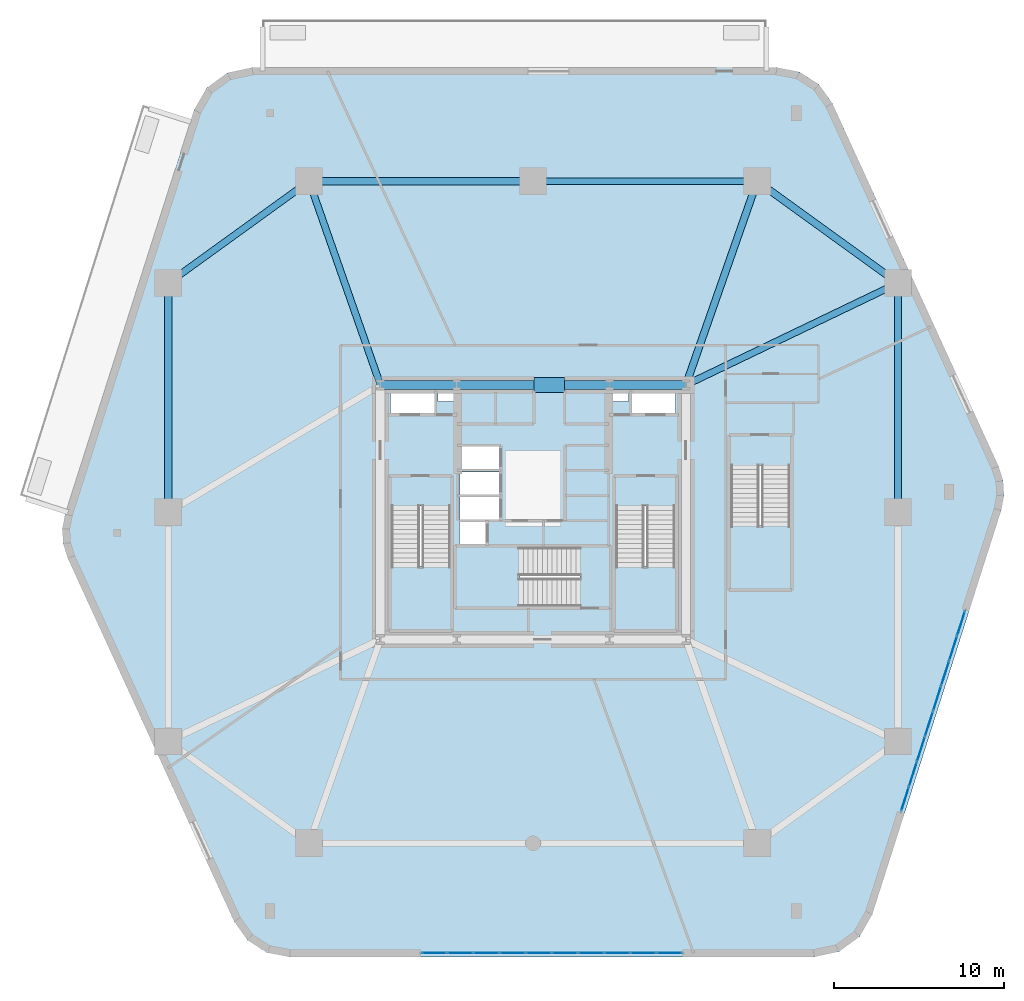
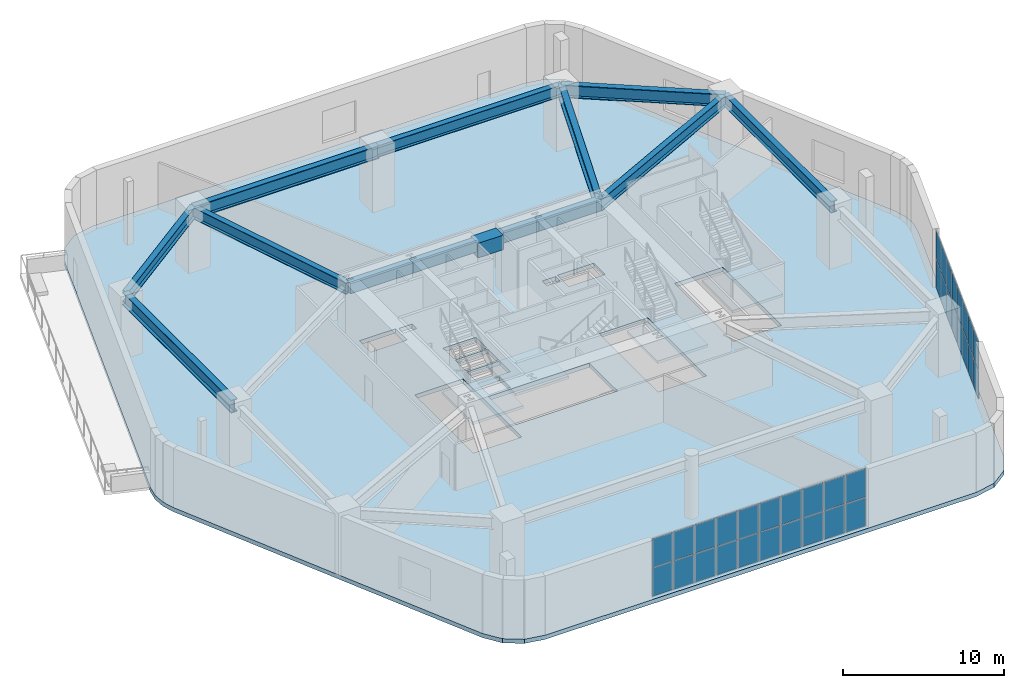
# One storey, part 10 of 15: 36 plates, 13 beams, 5 slabs, 6 elements without a shape of their own.
"""IFC4 building model written with IfcOpenShell, lengths in metres."""

from ifc_helpers import new_model, si_unit, direction, frame, origin, origin_2d, place, context, subcontext, project, spatial, polyline, rectangle, i_section, outline, extrude, material, layer, layer_set, material_profile, profile_set, type_object, element, aggregate, save


model = new_model("IFC4")

# Units and contexts
model_context = context("Model", 3, precision=1e-05, world=origin(), true_north=direction((0.0, 1.0)))
body_context = subcontext(model_context, "Body", "Model", "MODEL_VIEW")
ifc_project = project(units=[si_unit("LENGTHUNIT", "METRE"), si_unit("AREAUNIT", "SQUARE_METRE"), si_unit("VOLUMEUNIT", "CUBIC_METRE"), si_unit("PLANEANGLEUNIT", "RADIAN"), si_unit("MASSUNIT", "GRAM", prefix="KILO")], contexts=[model_context])

# Site, building, storey
site_placement = place(None, origin())
site = spatial("IfcSite", under=ifc_project, at=site_placement, CompositionType="ELEMENT")
building_placement = place(site_placement, origin())
building = spatial("IfcBuilding", under=site, at=building_placement, Name="Kilnhurst Terrace Hotel", CompositionType="ELEMENT")
storey_placement = place(building_placement, frame((0.0, 0.0, 23.39990234375)))
storey = spatial("IfcBuildingStorey", under=building, at=storey_placement, Name="L04", CompositionType="ELEMENT", Elevation=23.39990234375)

# Beams
ifc_material_1 = material(Name="Concrete C50/60", Category="concrete")
ifc_material_profile_1 = material_profile(ifc_material_1, rectangle(XDim=0.550048828125, YDim=0.75, at=origin_2d()), Name="RC550X750")
ifc_profile_set_1 = profile_set([ifc_material_profile_1], Name="Concrete C50/60")
beam_type_1 = type_object("IfcBeamType", Name="BM-SPN-550X750", PredefinedType="SPANDREL", material=ifc_profile_set_1)
beam_1_placement = place(storey_placement, frame((-9.0, 7.5, 4.10498046875), z_axis=(1.0, 0.0, 0.0), x_axis=(0.0, 1.0, 0.0)))
element("IfcBeam", 1, at=beam_1_placement, inside=storey, type_object=beam_type_1, Name="L04 Core Tie Beam CC-NW to CC-NC1", PredefinedType="SPANDREL", context=body_context, shape_type="SweptSolid", body=[
    extrude(rectangle(XDim=0.550048828125, YDim=0.75, at=origin_2d()), origin(), (0.0, 0.0, 1.0), 4.5),
])
beam_2_placement = place(storey_placement, frame((-4.5, 7.5, 4.10498046875), z_axis=(1.0, 0.0, 0.0), x_axis=(0.0, 1.0, 0.0)))
element("IfcBeam", 2, at=beam_2_placement, inside=storey, type_object=beam_type_1, Name="L04 Core Tie Beam CC-NC1 to CC-NC2", PredefinedType="SPANDREL", context=body_context, shape_type="SweptSolid", body=[
    extrude(rectangle(XDim=0.550048828125, YDim=0.75, at=origin_2d()), origin(), (0.0, 0.0, 1.0), 9.0),
])
beam_3_placement = place(storey_placement, frame((4.5, 7.5, 4.10498046875), z_axis=(1.0, 0.0, 0.0), x_axis=(0.0, 1.0, 0.0)))
element("IfcBeam", 3, at=beam_3_placement, inside=storey, type_object=beam_type_1, Name="L04 Core Tie Beam CC-NC2 to CC-NE", PredefinedType="SPANDREL", context=body_context, shape_type="SweptSolid", body=[
    extrude(rectangle(XDim=0.550048828125, YDim=0.75, at=origin_2d()), origin(), (0.0, 0.0, 1.0), 4.5),
])
ifc_material_2 = material(Name="Steel ASTM A992 Grade 50", Category="steel")
ifc_material_profile_2 = material_profile(ifc_material_2, i_section(OverallWidth=0.39990234375, OverallDepth=0.85546875, WebThickness=0.018310546875, FlangeThickness=0.029296875, at=origin_2d()), Name="W33X201")
ifc_profile_set_2 = profile_set([ifc_material_profile_2], Name="Steel ASTM A992 Grade 50")
beam_type_2 = type_object("IfcBeamType", Name="BM-STL-W33X201", PredefinedType="BEAM", material=ifc_profile_set_2)
beam_4_placement = place(storey_placement, frame((-21.5, 13.5, 4.052001953125), z_axis=(0.810423314702, 0.585844732833, 0.0), x_axis=(-0.585844732833, 0.810423314702, 0.0)))
element("IfcBeam", 4, at=beam_4_placement, inside=storey, type_object=beam_type_2, Name="L04 Podium Frame Beam 3", PredefinedType="BEAM", context=body_context, shape_type="SweptSolid", body=[
    extrude(i_section(OverallWidth=0.39990234375, OverallDepth=0.85546875, WebThickness=0.018310546875, FlangeThickness=0.029296875, at=origin_2d()), origin(), (0.0, 0.0, 1.0), 10.24169921875),
])
beam_5_placement = place(storey_placement, frame((0.0, 19.5, 4.052001953125), z_axis=(1.0, 0.0, 0.0), x_axis=(0.0, 1.0, 0.0)))
element("IfcBeam", 5, at=beam_5_placement, inside=storey, type_object=beam_type_2, Name="L04 Podium Frame Beam 5", PredefinedType="BEAM", context=body_context, shape_type="SweptSolid", body=[
    extrude(i_section(OverallWidth=0.39990234375, OverallDepth=0.85546875, WebThickness=0.018310546875, FlangeThickness=0.029296875, at=origin_2d()), origin(), (0.0, 0.0, 1.0), 13.199951171875),
])
beam_6_placement = place(storey_placement, frame((21.5, 13.5, 4.052001953125), z_axis=(0.0, -1.0, 0.0), x_axis=(1.0, 0.0, 0.0)))
element("IfcBeam", 6, at=beam_6_placement, inside=storey, type_object=beam_type_2, Name="L04 Podium Frame Beam 7", PredefinedType="BEAM", context=body_context, shape_type="SweptSolid", body=[
    extrude(i_section(OverallWidth=0.39990234375, OverallDepth=0.85546875, WebThickness=0.018310546875, FlangeThickness=0.029296875, at=origin_2d()), origin(), (0.0, 0.0, 1.0), 13.5),
])
beam_7_placement = place(storey_placement, frame((21.5, 13.5, 4.052001953125), z_axis=(-0.901523057468, -0.432731067585, 0.0), x_axis=(0.432731067585, -0.901523057468, 0.0)))
element("IfcBeam", 7, at=beam_7_placement, inside=storey, type_object=beam_type_2, Name="L04 Podium Frame Beam 11", PredefinedType="BEAM", context=body_context, shape_type="SweptSolid", body=[
    extrude(i_section(OverallWidth=0.39990234375, OverallDepth=0.85546875, WebThickness=0.018310546875, FlangeThickness=0.029296875, at=origin_2d()), origin(), (0.0, 0.0, 1.0), 13.865478515625),
])
beam_8_placement = place(storey_placement, frame((-13.199951171875, 19.5, 4.052001953125), z_axis=(0.330347003279, -0.943859553866, 0.0), x_axis=(0.943859553866, 0.330347003279, 0.0)))
element("IfcBeam", 8, at=beam_8_placement, inside=storey, type_object=beam_type_2, Name="L04 Podium Frame Beam 13", PredefinedType="BEAM", context=body_context, shape_type="SweptSolid", body=[
    extrude(i_section(OverallWidth=0.39990234375, OverallDepth=0.85546875, WebThickness=0.018310546875, FlangeThickness=0.029296875, at=origin_2d()), origin(), (0.0, 0.0, 1.0), 12.7138671875),
])
ifc_material_profile_3 = material_profile(ifc_material_2, i_section(OverallWidth=0.423095703125, OverallDepth=0.9482421875, WebThickness=0.02392578125, FlangeThickness=0.042724609375, at=origin_2d()), Name="W36X302")
ifc_profile_set_3 = profile_set([ifc_material_profile_3], Name="Steel ASTM A992 Grade 50")
beam_type_3 = type_object("IfcBeamType", Name="BM-STL-W36X302", PredefinedType="BEAM", material=ifc_profile_set_3)
beam_9_placement = place(storey_placement, frame((-21.5, 0.0, 4.006103515625), z_axis=(0.0, 1.0, 0.0), x_axis=(-1.0, 0.0, 0.0)))
element("IfcBeam", 9, at=beam_9_placement, inside=storey, type_object=beam_type_3, Name="L04 Podium Frame Beam 2", PredefinedType="BEAM", context=body_context, shape_type="SweptSolid", body=[
    extrude(i_section(OverallWidth=0.423095703125, OverallDepth=0.9482421875, WebThickness=0.02392578125, FlangeThickness=0.042724609375, at=origin_2d()), origin(), (0.0, 0.0, 1.0), 13.5),
])
beam_10_placement = place(storey_placement, frame((-13.199951171875, 19.5, 4.006103515625), z_axis=(1.0, 0.0, 0.0), x_axis=(0.0, 1.0, 0.0)))
element("IfcBeam", 10, at=beam_10_placement, inside=storey, type_object=beam_type_3, Name="L04 Podium Frame Beam 4", PredefinedType="BEAM", context=body_context, shape_type="SweptSolid", body=[
    extrude(i_section(OverallWidth=0.423095703125, OverallDepth=0.9482421875, WebThickness=0.02392578125, FlangeThickness=0.042724609375, at=origin_2d()), origin(), (0.0, 0.0, 1.0), 13.199951171875),
])
beam_11_placement = place(storey_placement, frame((13.199951171875, 19.5, 4.006103515625), z_axis=(0.810423314702, -0.585844732833, 0.0), x_axis=(0.585844732833, 0.810423314702, 0.0)))
element("IfcBeam", 11, at=beam_11_placement, inside=storey, type_object=beam_type_3, Name="L04 Podium Frame Beam 6", PredefinedType="BEAM", context=body_context, shape_type="SweptSolid", body=[
    extrude(i_section(OverallWidth=0.423095703125, OverallDepth=0.9482421875, WebThickness=0.02392578125, FlangeThickness=0.042724609375, at=origin_2d()), origin(), (0.0, 0.0, 1.0), 10.24169921875),
])
beam_12_placement = place(storey_placement, frame((13.199951171875, 19.5, 4.006103515625), z_axis=(-0.330347003279, -0.943859553866, 0.0), x_axis=(0.943859553866, -0.330347003279, 0.0)))
element("IfcBeam", 12, at=beam_12_placement, inside=storey, type_object=beam_type_3, Name="L04 Podium Frame Beam 14", PredefinedType="BEAM", context=body_context, shape_type="SweptSolid", body=[
    extrude(i_section(OverallWidth=0.423095703125, OverallDepth=0.9482421875, WebThickness=0.02392578125, FlangeThickness=0.042724609375, at=origin_2d()), origin(), (0.0, 0.0, 1.0), 12.7138671875),
])
ifc_material_3 = material(Name="Concrete C80/95", Category="concrete")
ifc_material_profile_4 = material_profile(ifc_material_3, rectangle(XDim=0.89990234375, YDim=1.10009765625, at=origin_2d()), Name="RC900X1100")
ifc_profile_set_4 = profile_set([ifc_material_profile_4], Name="Concrete C80/95")
beam_type_4 = type_object("IfcBeamType", Name="LNT-CB-900X1100", PredefinedType="LINTEL", material=ifc_profile_set_4)
beam_13_placement = place(storey_placement, frame((0.050048828125, 7.5, 3.93017578125), z_axis=(1.0, 0.0, 0.0), x_axis=(0.0, 1.0, 0.0)))
element("IfcBeam", 13, at=beam_13_placement, inside=storey, type_object=beam_type_4, Name="L04 North Core Coupling Link Beam", PredefinedType="LINTEL", context=body_context, shape_type="SweptSolid", body=[
    extrude(rectangle(XDim=0.89990234375, YDim=1.10009765625, at=origin_2d()), origin(), (0.0, 0.0, 1.0), 1.800048828125),
])

# Curtain wall, plates
ifc_material_4 = material(Name="Anodized Aluminium Alloy 6063-T6 and Low-E Glass", Category="aluminium")
ifc_layer_1 = layer(ifc_material_4, 0.219970703125, Name="Anodized Aluminium Alloy 6063-T6 and Low-E Glass")
ifc_layer_set_1 = layer_set([ifc_layer_1], Name="Anodized Aluminium Alloy 6063-T6 and Low-E Glass")
curtain_wall_type = type_object("IfcCurtainWallType", Name="CW-POD-TERR", PredefinedType="NOTDEFINED", material=ifc_layer_set_1)
curtain_wall_1_placement = place(storey_placement, origin())
curtain_wall_1 = element("IfcCurtainWall", 14, at=curtain_wall_1_placement, inside=storey, type_object=curtain_wall_type, Name="L04 Curtain Wall CW-L04-F1-1", PredefinedType="NOTDEFINED")
ifc_material_5 = material(Name="Triple Laminated Low-E Hurricane Insulated Glass", Category="glass")
ifc_layer_2 = layer(ifc_material_5, 0.031982421875, Name="Triple Laminated Low-E Hurricane Insulated Glass")
ifc_layer_set_2 = layer_set([ifc_layer_2], Name="Triple Laminated Low-E Hurricane Insulated Glass")
plate_type = type_object("IfcPlateType", Name="PNL-GLZ-32", PredefinedType="CURTAIN_PANEL", material=ifc_layer_set_2)
plate_1_placement = place(storey_placement, frame((-5.825927734375, -25.97509765625, 0.0703125), z_axis=(0.0, 0.0, 1.0), x_axis=(1.0, 0.0, 0.0)))
plate_1 = element("IfcPlate", 15, at=plate_1_placement, type_object=plate_type, Name="CWT-2 panel 1.1", PredefinedType="CURTAIN_PANEL", context=body_context, shape_type="SweptSolid", body=[
    extrude(rectangle(XDim=1.437744140625, YDim=0.031982421875, at=origin_2d()), origin(), (0.0, 0.0, 1.0), 2.135009765625),
])
plate_2_placement = place(storey_placement, frame((-5.825927734375, -25.97509765625, 2.27490234375), z_axis=(0.0, 0.0, 1.0), x_axis=(1.0, 0.0, 0.0)))
plate_2 = element("IfcPlate", 16, at=plate_2_placement, type_object=plate_type, Name="CWT-2 panel 1.2", PredefinedType="CURTAIN_PANEL", context=body_context, shape_type="SweptSolid", body=[
    extrude(rectangle(XDim=1.437744140625, YDim=0.031982421875, at=origin_2d()), origin(), (0.0, 0.0, 1.0), 2.135009765625),
])
plate_3_placement = place(storey_placement, frame((-4.300537109375, -25.97509765625, 0.0703125), z_axis=(0.0, 0.0, 1.0), x_axis=(1.0, 0.0, 0.0)))
plate_3 = element("IfcPlate", 17, at=plate_3_placement, type_object=plate_type, Name="CWT-2 panel 2.1", PredefinedType="CURTAIN_PANEL", context=body_context, shape_type="SweptSolid", body=[
    extrude(rectangle(XDim=1.47265625, YDim=0.031982421875, at=origin_2d()), origin(), (0.0, 0.0, 1.0), 2.135009765625),
])
plate_4_placement = place(storey_placement, frame((-4.300537109375, -25.97509765625, 2.27490234375), z_axis=(0.0, 0.0, 1.0), x_axis=(1.0, 0.0, 0.0)))
plate_4 = element("IfcPlate", 18, at=plate_4_placement, type_object=plate_type, Name="CWT-2 panel 2.2", PredefinedType="CURTAIN_PANEL", context=body_context, shape_type="SweptSolid", body=[
    extrude(rectangle(XDim=1.47265625, YDim=0.031982421875, at=origin_2d()), origin(), (0.0, 0.0, 1.0), 2.135009765625),
])
plate_5_placement = place(storey_placement, frame((-2.758056640625, -25.97509765625, 0.0703125), z_axis=(0.0, 0.0, 1.0), x_axis=(1.0, 0.0, 0.0)))
plate_5 = element("IfcPlate", 19, at=plate_5_placement, type_object=plate_type, Name="CWT-2 panel 3.1", PredefinedType="CURTAIN_PANEL", context=body_context, shape_type="SweptSolid", body=[
    extrude(rectangle(XDim=1.47265625, YDim=0.031982421875, at=origin_2d()), origin(), (0.0, 0.0, 1.0), 2.135009765625),
])
plate_6_placement = place(storey_placement, frame((-2.758056640625, -25.97509765625, 2.27490234375), z_axis=(0.0, 0.0, 1.0), x_axis=(1.0, 0.0, 0.0)))
plate_6 = element("IfcPlate", 20, at=plate_6_placement, type_object=plate_type, Name="CWT-2 panel 3.2", PredefinedType="CURTAIN_PANEL", context=body_context, shape_type="SweptSolid", body=[
    extrude(rectangle(XDim=1.47265625, YDim=0.031982421875, at=origin_2d()), origin(), (0.0, 0.0, 1.0), 2.135009765625),
])
plate_7_placement = place(storey_placement, frame((-1.21533203125, -25.97509765625, 0.0703125), z_axis=(0.0, 0.0, 1.0), x_axis=(1.0, 0.0, 0.0)))
plate_7 = element("IfcPlate", 21, at=plate_7_placement, type_object=plate_type, Name="CWT-2 panel 4.1", PredefinedType="CURTAIN_PANEL", context=body_context, shape_type="SweptSolid", body=[
    extrude(rectangle(XDim=1.47265625, YDim=0.031982421875, at=origin_2d()), origin(), (0.0, 0.0, 1.0), 2.135009765625),
])
plate_8_placement = place(storey_placement, frame((-1.21533203125, -25.97509765625, 2.27490234375), z_axis=(0.0, 0.0, 1.0), x_axis=(1.0, 0.0, 0.0)))
plate_8 = element("IfcPlate", 22, at=plate_8_placement, type_object=plate_type, Name="CWT-2 panel 4.2", PredefinedType="CURTAIN_PANEL", context=body_context, shape_type="SweptSolid", body=[
    extrude(rectangle(XDim=1.47265625, YDim=0.031982421875, at=origin_2d()), origin(), (0.0, 0.0, 1.0), 2.135009765625),
])
plate_9_placement = place(storey_placement, frame((0.327392578125, -25.97509765625, 0.0703125), z_axis=(0.0, 0.0, 1.0), x_axis=(1.0, 0.0, 0.0)))
plate_9 = element("IfcPlate", 23, at=plate_9_placement, type_object=plate_type, Name="CWT-2 panel 5.1", PredefinedType="CURTAIN_PANEL", context=body_context, shape_type="SweptSolid", body=[
    extrude(rectangle(XDim=1.47265625, YDim=0.031982421875, at=origin_2d()), origin(), (0.0, 0.0, 1.0), 2.135009765625),
])
plate_10_placement = place(storey_placement, frame((0.327392578125, -25.97509765625, 2.27490234375), z_axis=(0.0, 0.0, 1.0), x_axis=(1.0, 0.0, 0.0)))
plate_10 = element("IfcPlate", 24, at=plate_10_placement, type_object=plate_type, Name="CWT-2 panel 5.2", PredefinedType="CURTAIN_PANEL", context=body_context, shape_type="SweptSolid", body=[
    extrude(rectangle(XDim=1.47265625, YDim=0.031982421875, at=origin_2d()), origin(), (0.0, 0.0, 1.0), 2.135009765625),
])
plate_11_placement = place(storey_placement, frame((1.8701171875, -25.97509765625, 0.0703125), z_axis=(0.0, 0.0, 1.0), x_axis=(1.0, 0.0, 0.0)))
plate_11 = element("IfcPlate", 25, at=plate_11_placement, type_object=plate_type, Name="CWT-2 panel 6.1", PredefinedType="CURTAIN_PANEL", context=body_context, shape_type="SweptSolid", body=[
    extrude(rectangle(XDim=1.47265625, YDim=0.031982421875, at=origin_2d()), origin(), (0.0, 0.0, 1.0), 2.135009765625),
])
plate_12_placement = place(storey_placement, frame((1.8701171875, -25.97509765625, 2.27490234375), z_axis=(0.0, 0.0, 1.0), x_axis=(1.0, 0.0, 0.0)))
plate_12 = element("IfcPlate", 26, at=plate_12_placement, type_object=plate_type, Name="CWT-2 panel 6.2", PredefinedType="CURTAIN_PANEL", context=body_context, shape_type="SweptSolid", body=[
    extrude(rectangle(XDim=1.47265625, YDim=0.031982421875, at=origin_2d()), origin(), (0.0, 0.0, 1.0), 2.135009765625),
])
plate_13_placement = place(storey_placement, frame((3.412841796875, -25.97509765625, 0.0703125), z_axis=(0.0, 0.0, 1.0), x_axis=(1.0, 0.0, 0.0)))
plate_13 = element("IfcPlate", 27, at=plate_13_placement, type_object=plate_type, Name="CWT-2 panel 7.1", PredefinedType="CURTAIN_PANEL", context=body_context, shape_type="SweptSolid", body=[
    extrude(rectangle(XDim=1.47265625, YDim=0.031982421875, at=origin_2d()), origin(), (0.0, 0.0, 1.0), 2.135009765625),
])
plate_14_placement = place(storey_placement, frame((3.412841796875, -25.97509765625, 2.27490234375), z_axis=(0.0, 0.0, 1.0), x_axis=(1.0, 0.0, 0.0)))
plate_14 = element("IfcPlate", 28, at=plate_14_placement, type_object=plate_type, Name="CWT-2 panel 7.2", PredefinedType="CURTAIN_PANEL", context=body_context, shape_type="SweptSolid", body=[
    extrude(rectangle(XDim=1.47265625, YDim=0.031982421875, at=origin_2d()), origin(), (0.0, 0.0, 1.0), 2.135009765625),
])
plate_15_placement = place(storey_placement, frame((4.95556640625, -25.97509765625, 0.0703125), z_axis=(0.0, 0.0, 1.0), x_axis=(1.0, 0.0, 0.0)))
plate_15 = element("IfcPlate", 29, at=plate_15_placement, type_object=plate_type, Name="CWT-2 panel 8.1", PredefinedType="CURTAIN_PANEL", context=body_context, shape_type="SweptSolid", body=[
    extrude(rectangle(XDim=1.47265625, YDim=0.031982421875, at=origin_2d()), origin(), (0.0, 0.0, 1.0), 2.135009765625),
])
plate_16_placement = place(storey_placement, frame((4.95556640625, -25.97509765625, 2.27490234375), z_axis=(0.0, 0.0, 1.0), x_axis=(1.0, 0.0, 0.0)))
plate_16 = element("IfcPlate", 30, at=plate_16_placement, type_object=plate_type, Name="CWT-2 panel 8.2", PredefinedType="CURTAIN_PANEL", context=body_context, shape_type="SweptSolid", body=[
    extrude(rectangle(XDim=1.47265625, YDim=0.031982421875, at=origin_2d()), origin(), (0.0, 0.0, 1.0), 2.135009765625),
])
plate_17_placement = place(storey_placement, frame((6.498291015625, -25.97509765625, 0.0703125), z_axis=(0.0, 0.0, 1.0), x_axis=(1.0, 0.0, 0.0)))
plate_17 = element("IfcPlate", 31, at=plate_17_placement, type_object=plate_type, Name="CWT-2 panel 9.1", PredefinedType="CURTAIN_PANEL", context=body_context, shape_type="SweptSolid", body=[
    extrude(rectangle(XDim=1.47265625, YDim=0.031982421875, at=origin_2d()), origin(), (0.0, 0.0, 1.0), 2.135009765625),
])
plate_18_placement = place(storey_placement, frame((6.498291015625, -25.97509765625, 2.27490234375), z_axis=(0.0, 0.0, 1.0), x_axis=(1.0, 0.0, 0.0)))
plate_18 = element("IfcPlate", 32, at=plate_18_placement, type_object=plate_type, Name="CWT-2 panel 9.2", PredefinedType="CURTAIN_PANEL", context=body_context, shape_type="SweptSolid", body=[
    extrude(rectangle(XDim=1.47265625, YDim=0.031982421875, at=origin_2d()), origin(), (0.0, 0.0, 1.0), 2.135009765625),
])
plate_19_placement = place(storey_placement, frame((8.0234375, -25.97509765625, 0.0703125), z_axis=(0.0, 0.0, 1.0), x_axis=(1.0, 0.0, 0.0)))
plate_19 = element("IfcPlate", 33, at=plate_19_placement, type_object=plate_type, Name="CWT-2 panel 10.1", PredefinedType="CURTAIN_PANEL", context=body_context, shape_type="SweptSolid", body=[
    extrude(rectangle(XDim=1.437744140625, YDim=0.031982421875, at=origin_2d()), origin(), (0.0, 0.0, 1.0), 2.135009765625),
])
plate_20_placement = place(storey_placement, frame((8.0234375, -25.97509765625, 2.27490234375), z_axis=(0.0, 0.0, 1.0), x_axis=(1.0, 0.0, 0.0)))
plate_20 = element("IfcPlate", 34, at=plate_20_placement, type_object=plate_type, Name="CWT-2 panel 10.2", PredefinedType="CURTAIN_PANEL", context=body_context, shape_type="SweptSolid", body=[
    extrude(rectangle(XDim=1.437744140625, YDim=0.031982421875, at=origin_2d()), origin(), (0.0, 0.0, 1.0), 2.135009765625),
])
aggregate(curtain_wall_1, [plate_1, plate_2, plate_3, plate_4, plate_5, plate_6, plate_7, plate_8, plate_9, plate_10, plate_11, plate_12, plate_13, plate_14, plate_15, plate_16, plate_17, plate_18, plate_19, plate_20])

curtain_wall_2_placement = place(storey_placement, origin())
curtain_wall_2 = element("IfcCurtainWall", 35, at=curtain_wall_2_placement, inside=storey, type_object=curtain_wall_type, Name="L04 Curtain Wall CW-L04-F2-1", PredefinedType="NOTDEFINED")
plate_21_placement = place(storey_placement, frame((21.9111328125, -16.901123046875, 0.0703125), z_axis=(0.0, 0.0, 1.0), x_axis=(0.303991887271, 0.952674620463, 0.0)))
plate_21 = element("IfcPlate", 36, at=plate_21_placement, type_object=plate_type, Name="CWT-2 panel 1.1", PredefinedType="CURTAIN_PANEL", context=body_context, shape_type="SweptSolid", body=[
    extrude(rectangle(XDim=1.45458984375, YDim=0.031982421875, at=origin_2d()), origin(), (0.0, 0.0, 1.0), 2.135009765625),
])
plate_22_placement = place(storey_placement, frame((21.9111328125, -16.901123046875, 2.27490234375), z_axis=(0.0, 0.0, 1.0), x_axis=(0.303991887271, 0.952674620463, 0.0)))
plate_22 = element("IfcPlate", 37, at=plate_22_placement, type_object=plate_type, Name="CWT-2 panel 1.2", PredefinedType="CURTAIN_PANEL", context=body_context, shape_type="SweptSolid", body=[
    extrude(rectangle(XDim=1.45458984375, YDim=0.031982421875, at=origin_2d()), origin(), (0.0, 0.0, 1.0), 2.135009765625),
])
plate_23_placement = place(storey_placement, frame((22.3798828125, -15.431884765625, 0.0703125), z_axis=(0.0, 0.0, 1.0), x_axis=(0.303991887271, 0.952674620463, 0.0)))
plate_23 = element("IfcPlate", 38, at=plate_23_placement, type_object=plate_type, Name="CWT-2 panel 2.1", PredefinedType="CURTAIN_PANEL", context=body_context, shape_type="SweptSolid", body=[
    extrude(rectangle(XDim=1.489501953125, YDim=0.031982421875, at=origin_2d()), origin(), (0.0, 0.0, 1.0), 2.135009765625),
])
plate_24_placement = place(storey_placement, frame((22.3798828125, -15.431884765625, 2.27490234375), z_axis=(0.0, 0.0, 1.0), x_axis=(0.303991887271, 0.952674620463, 0.0)))
plate_24 = element("IfcPlate", 39, at=plate_24_placement, type_object=plate_type, Name="CWT-2 panel 2.2", PredefinedType="CURTAIN_PANEL", context=body_context, shape_type="SweptSolid", body=[
    extrude(rectangle(XDim=1.489501953125, YDim=0.031982421875, at=origin_2d()), origin(), (0.0, 0.0, 1.0), 2.135009765625),
])
plate_25_placement = place(storey_placement, frame((22.85400390625, -13.946044921875, 0.0703125), z_axis=(0.0, 0.0, 1.0), x_axis=(0.303991887271, 0.952674620463, 0.0)))
plate_25 = element("IfcPlate", 40, at=plate_25_placement, type_object=plate_type, Name="CWT-2 panel 3.1", PredefinedType="CURTAIN_PANEL", context=body_context, shape_type="SweptSolid", body=[
    extrude(rectangle(XDim=1.489501953125, YDim=0.031982421875, at=origin_2d()), origin(), (0.0, 0.0, 1.0), 2.135009765625),
])
plate_26_placement = place(storey_placement, frame((22.85400390625, -13.946044921875, 2.27490234375), z_axis=(0.0, 0.0, 1.0), x_axis=(0.303991887271, 0.952674620463, 0.0)))
plate_26 = element("IfcPlate", 41, at=plate_26_placement, type_object=plate_type, Name="CWT-2 panel 3.2", PredefinedType="CURTAIN_PANEL", context=body_context, shape_type="SweptSolid", body=[
    extrude(rectangle(XDim=1.489501953125, YDim=0.031982421875, at=origin_2d()), origin(), (0.0, 0.0, 1.0), 2.135009765625),
])
plate_27_placement = place(storey_placement, frame((23.328125, -12.460205078125, 0.0703125), z_axis=(0.0, 0.0, 1.0), x_axis=(0.303991887271, 0.952674620463, 0.0)))
plate_27 = element("IfcPlate", 42, at=plate_27_placement, type_object=plate_type, Name="CWT-2 panel 4.1", PredefinedType="CURTAIN_PANEL", context=body_context, shape_type="SweptSolid", body=[
    extrude(rectangle(XDim=1.489501953125, YDim=0.031982421875, at=origin_2d()), origin(), (0.0, 0.0, 1.0), 2.135009765625),
])
plate_28_placement = place(storey_placement, frame((23.328125, -12.460205078125, 2.27490234375), z_axis=(0.0, 0.0, 1.0), x_axis=(0.303991887271, 0.952674620463, 0.0)))
plate_28 = element("IfcPlate", 43, at=plate_28_placement, type_object=plate_type, Name="CWT-2 panel 4.2", PredefinedType="CURTAIN_PANEL", context=body_context, shape_type="SweptSolid", body=[
    extrude(rectangle(XDim=1.489501953125, YDim=0.031982421875, at=origin_2d()), origin(), (0.0, 0.0, 1.0), 2.135009765625),
])
plate_29_placement = place(storey_placement, frame((23.80224609375, -10.974365234375, 0.0703125), z_axis=(0.0, 0.0, 1.0), x_axis=(0.303991887271, 0.952674620463, 0.0)))
plate_29 = element("IfcPlate", 44, at=plate_29_placement, type_object=plate_type, Name="CWT-2 panel 5.1", PredefinedType="CURTAIN_PANEL", context=body_context, shape_type="SweptSolid", body=[
    extrude(rectangle(XDim=1.489501953125, YDim=0.031982421875, at=origin_2d()), origin(), (0.0, 0.0, 1.0), 2.135009765625),
])
plate_30_placement = place(storey_placement, frame((23.80224609375, -10.974365234375, 2.27490234375), z_axis=(0.0, 0.0, 1.0), x_axis=(0.303991887271, 0.952674620463, 0.0)))
plate_30 = element("IfcPlate", 45, at=plate_30_placement, type_object=plate_type, Name="CWT-2 panel 5.2", PredefinedType="CURTAIN_PANEL", context=body_context, shape_type="SweptSolid", body=[
    extrude(rectangle(XDim=1.489501953125, YDim=0.031982421875, at=origin_2d()), origin(), (0.0, 0.0, 1.0), 2.135009765625),
])
plate_31_placement = place(storey_placement, frame((24.2763671875, -9.488525390625, 0.0703125), z_axis=(0.0, 0.0, 1.0), x_axis=(0.303991887271, 0.952674620463, 0.0)))
plate_31 = element("IfcPlate", 46, at=plate_31_placement, type_object=plate_type, Name="CWT-2 panel 6.1", PredefinedType="CURTAIN_PANEL", context=body_context, shape_type="SweptSolid", body=[
    extrude(rectangle(XDim=1.489501953125, YDim=0.031982421875, at=origin_2d()), origin(), (0.0, 0.0, 1.0), 2.135009765625),
])
plate_32_placement = place(storey_placement, frame((24.2763671875, -9.488525390625, 2.27490234375), z_axis=(0.0, 0.0, 1.0), x_axis=(0.303991887271, 0.952674620463, 0.0)))
plate_32 = element("IfcPlate", 47, at=plate_32_placement, type_object=plate_type, Name="CWT-2 panel 6.2", PredefinedType="CURTAIN_PANEL", context=body_context, shape_type="SweptSolid", body=[
    extrude(rectangle(XDim=1.489501953125, YDim=0.031982421875, at=origin_2d()), origin(), (0.0, 0.0, 1.0), 2.135009765625),
])
plate_33_placement = place(storey_placement, frame((24.75048828125, -8.0029296875, 0.0703125), z_axis=(0.0, 0.0, 1.0), x_axis=(0.303991887271, 0.952674620463, 0.0)))
plate_33 = element("IfcPlate", 48, at=plate_33_placement, type_object=plate_type, Name="CWT-2 panel 7.1", PredefinedType="CURTAIN_PANEL", context=body_context, shape_type="SweptSolid", body=[
    extrude(rectangle(XDim=1.489501953125, YDim=0.031982421875, at=origin_2d()), origin(), (0.0, 0.0, 1.0), 2.135009765625),
])
plate_34_placement = place(storey_placement, frame((24.75048828125, -8.0029296875, 2.27490234375), z_axis=(0.0, 0.0, 1.0), x_axis=(0.303991887271, 0.952674620463, 0.0)))
plate_34 = element("IfcPlate", 49, at=plate_34_placement, type_object=plate_type, Name="CWT-2 panel 7.2", PredefinedType="CURTAIN_PANEL", context=body_context, shape_type="SweptSolid", body=[
    extrude(rectangle(XDim=1.489501953125, YDim=0.031982421875, at=origin_2d()), origin(), (0.0, 0.0, 1.0), 2.135009765625),
])
plate_35_placement = place(storey_placement, frame((25.21923828125, -6.53369140625, 0.0703125), z_axis=(0.0, 0.0, 1.0), x_axis=(0.303991887271, 0.952674620463, 0.0)))
plate_35 = element("IfcPlate", 50, at=plate_35_placement, type_object=plate_type, Name="CWT-2 panel 8.1", PredefinedType="CURTAIN_PANEL", context=body_context, shape_type="SweptSolid", body=[
    extrude(rectangle(XDim=1.45458984375, YDim=0.031982421875, at=origin_2d()), origin(), (0.0, 0.0, 1.0), 2.135009765625),
])
plate_36_placement = place(storey_placement, frame((25.21923828125, -6.53369140625, 2.27490234375), z_axis=(0.0, 0.0, 1.0), x_axis=(0.303991887271, 0.952674620463, 0.0)))
plate_36 = element("IfcPlate", 51, at=plate_36_placement, type_object=plate_type, Name="CWT-2 panel 8.2", PredefinedType="CURTAIN_PANEL", context=body_context, shape_type="SweptSolid", body=[
    extrude(rectangle(XDim=1.45458984375, YDim=0.031982421875, at=origin_2d()), origin(), (0.0, 0.0, 1.0), 2.135009765625),
])
aggregate(curtain_wall_2, [plate_21, plate_22, plate_23, plate_24, plate_25, plate_26, plate_27, plate_28, plate_29, plate_30, plate_31, plate_32, plate_33, plate_34, plate_35, plate_36])

# Slab
ifc_layer_3 = layer(ifc_material_1, 0.320068359375, Name="Concrete C50/60")
ifc_layer_set_3 = layer_set([ifc_layer_3], Name="Concrete C50/60")
slab_type_1 = type_object("IfcSlabType", Name="SLB-FLR-320", PredefinedType="FLOOR", material=ifc_layer_set_3)
slab_1_placement = place(storey_placement, frame((0.0, 0.0, -0.31982421875)))
element("IfcSlab", 52, at=slab_1_placement, inside=storey, type_object=slab_type_1, Name="L04 Structural Floor Slab", PredefinedType="FLOOR", context=body_context, shape_type="SweptSolid", body=[
    extrude(outline(polyline([(-17.622314453125, -24.09912109375), (-16.83154296875, -25.207275390625), (-15.68603515625, -25.942626953125), (-14.34912109375, -26.199951171875), (16.5498046875, -26.199951171875), (18.02001953125, -25.88623046875), (19.233642578125, -24.99951171875), (19.9794921875, -23.6943359375), (27.57666015625, 0.114013671875), (27.73974609375, 0.982666015625), (27.6865234375, 1.86474609375), (27.419921875, 2.70751953125), (17.622314453125, 24.09912109375), (16.83154296875, 25.207275390625), (15.68603515625, 25.942626953125), (14.34912109375, 26.199951171875), (-16.5498046875, 26.199951171875), (-18.02001953125, 25.88623046875), (-19.233642578125, 24.99951171875), (-19.9794921875, 23.6943359375), (-27.57666015625, -0.114013671875), (-27.73974609375, -0.982666015625), (-27.6865234375, -1.86474609375), (-27.419921875, -2.70751953125), (-17.622314453125, -24.09912109375)]), holes=[polyline([(-8.35009765625, 0.35498046875), (-4.8798828125, 0.35498046875), (-4.8798828125, -6.89990234375), (-8.35009765625, -6.89990234375), (-8.35009765625, 0.35498046875)]), polyline([(-4.35009765625, -1.89990234375), (-4.35009765625, -0.550048828125), (-2.800048828125, -0.550048828125), (-2.800048828125, -1.89990234375), (-4.35009765625, -1.89990234375)]), polyline([(-4.300048828125, -0.429931640625), (-4.300048828125, 0.89990234375), (-1.949951171875, 0.89990234375), (-1.949951171875, -0.429931640625), (-4.300048828125, -0.429931640625)]), polyline([(-1.949951171875, 1.050048828125), (-4.300048828125, 1.050048828125), (-4.300048828125, 2.3798828125), (-1.949951171875, 2.3798828125), (-1.949951171875, 1.050048828125)]), polyline([(-8.39990234375, 5.75), (-8.39990234375, 7.14990234375), (-5.800048828125, 7.14990234375), (-5.800048828125, 5.75), (-8.39990234375, 5.75)]), polyline([(-5.6201171875, 6.52001953125), (-5.6201171875, 7.080078125), (-4.659912109375, 7.080078125), (-4.659912109375, 6.52001953125), (-5.6201171875, 6.52001953125)]), polyline([(2.7548828125, -2.080078125), (2.7548828125, -5.550048828125), (-4.5, -5.550048828125), (-4.5, -2.080078125), (2.7548828125, -2.080078125)]), polyline([(8.35009765625, 0.35498046875), (8.35009765625, -6.89990234375), (4.8798828125, -6.89990234375), (4.8798828125, 0.35498046875), (8.35009765625, 0.35498046875)]), polyline([(15.1201171875, 2.7548828125), (15.1201171875, -4.5), (11.64990234375, -4.5), (11.64990234375, 2.7548828125), (15.1201171875, 2.7548828125)]), polyline([(-1.949951171875, 2.530029296875), (-4.300048828125, 2.530029296875), (-4.300048828125, 3.860107421875), (-1.949951171875, 3.860107421875), (-1.949951171875, 2.530029296875)]), polyline([(5.800048828125, 5.75), (5.800048828125, 7.14990234375), (8.39990234375, 7.14990234375), (8.39990234375, 5.75), (5.800048828125, 5.75)]), polyline([(4.659912109375, 6.52001953125), (4.659912109375, 7.080078125), (5.6201171875, 7.080078125), (5.6201171875, 6.52001953125), (4.659912109375, 6.52001953125)])]), origin(), (0.0, 0.0, 1.0), 0.31982421875),
])

# Stair, slab
stair_type_1 = type_object("IfcStairType", Name="STR-CORE-1660", PredefinedType="HALF_TURN_STAIR", material=ifc_material_1)
stair_1_placement = place(storey_placement, origin())
stair_1 = element("IfcStair", 53, at=stair_1_placement, inside=storey, type_object=stair_type_1, Name="L04 ST-1", PredefinedType="HALF_TURN_STAIR")
ifc_layer_4 = layer(ifc_material_1, 0.199951171875, Name="Concrete C50/60")
ifc_layer_set_4 = layer_set([ifc_layer_4], Name="Concrete C50/60")
slab_type_2 = type_object("IfcSlabType", Name="SLB-ST-LND-200", PredefinedType="LANDING", material=ifc_layer_set_4)
slab_2_placement = place(storey_placement, frame((0.0, 0.0, 2.2001953125)))
slab_2 = element("IfcSlab", 54, at=slab_2_placement, type_object=slab_type_2, Name="ST-1 landing 1", PredefinedType="LANDING", context=body_context, shape_type="SweptSolid", body=[
    extrude(outline(polyline([(-8.429931640625, -3.169921875), (-4.800048828125, -3.169921875), (-4.800048828125, -6.97998046875), (-8.429931640625, -6.97998046875), (-8.429931640625, -3.169921875)])), origin(), (0.0, 0.0, 1.0), 0.199951171875),
])
aggregate(stair_1, [slab_2])

stair_2_placement = place(storey_placement, origin())
stair_2 = element("IfcStair", 55, at=stair_2_placement, inside=storey, type_object=stair_type_1, Name="L04 ST-2", PredefinedType="HALF_TURN_STAIR")
slab_3_placement = place(storey_placement, frame((0.0, 0.0, 2.2001953125)))
slab_3 = element("IfcSlab", 56, at=slab_3_placement, type_object=slab_type_2, Name="ST-2 landing 1", PredefinedType="LANDING", context=body_context, shape_type="SweptSolid", body=[
    extrude(outline(polyline([(4.800048828125, -3.169921875), (8.429931640625, -3.169921875), (8.429931640625, -6.97998046875), (4.800048828125, -6.97998046875), (4.800048828125, -3.169921875)])), origin(), (0.0, 0.0, 1.0), 0.199951171875),
])
aggregate(stair_2, [slab_3])

stair_3_placement = place(storey_placement, origin())
stair_3 = element("IfcStair", 57, at=stair_3_placement, inside=storey, type_object=stair_type_1, Name="L04 ST-3", PredefinedType="HALF_TURN_STAIR")
slab_4_placement = place(storey_placement, frame((0.0, 0.0, 2.2001953125)))
slab_4 = element("IfcSlab", 58, at=slab_4_placement, type_object=slab_type_2, Name="ST-3 landing 1", PredefinedType="LANDING", context=body_context, shape_type="SweptSolid", body=[
    extrude(outline(polyline([(-0.77001953125, -2.0), (-0.77001953125, -5.6298828125), (-4.580078125, -5.6298828125), (-4.580078125, -2.0), (-0.77001953125, -2.0)])), origin(), (0.0, 0.0, 1.0), 0.199951171875),
])
aggregate(stair_3, [slab_4])

ifc_material_6 = material(Name="Concrete C40/50", Category="concrete")
stair_type_2 = type_object("IfcStairType", Name="STR-POD-1660", PredefinedType="HALF_TURN_STAIR", material=ifc_material_6)
stair_4_placement = place(storey_placement, origin())
stair_4 = element("IfcStair", 59, at=stair_4_placement, inside=storey, type_object=stair_type_2, Name="L04 ST-4", PredefinedType="HALF_TURN_STAIR")
slab_5_placement = place(storey_placement, frame((0.0, 0.0, 2.2001953125)))
slab_5 = element("IfcSlab", 60, at=slab_5_placement, type_object=slab_type_2, Name="ST-4 landing 1", PredefinedType="LANDING", context=body_context, shape_type="SweptSolid", body=[
    extrude(outline(polyline([(11.570068359375, -0.77001953125), (15.199951171875, -0.77001953125), (15.199951171875, -4.580078125), (11.570068359375, -4.580078125), (11.570068359375, -0.77001953125)])), origin(), (0.0, 0.0, 1.0), 0.199951171875),
])
aggregate(stair_4, [slab_5])

save(model, "model.ifc")
